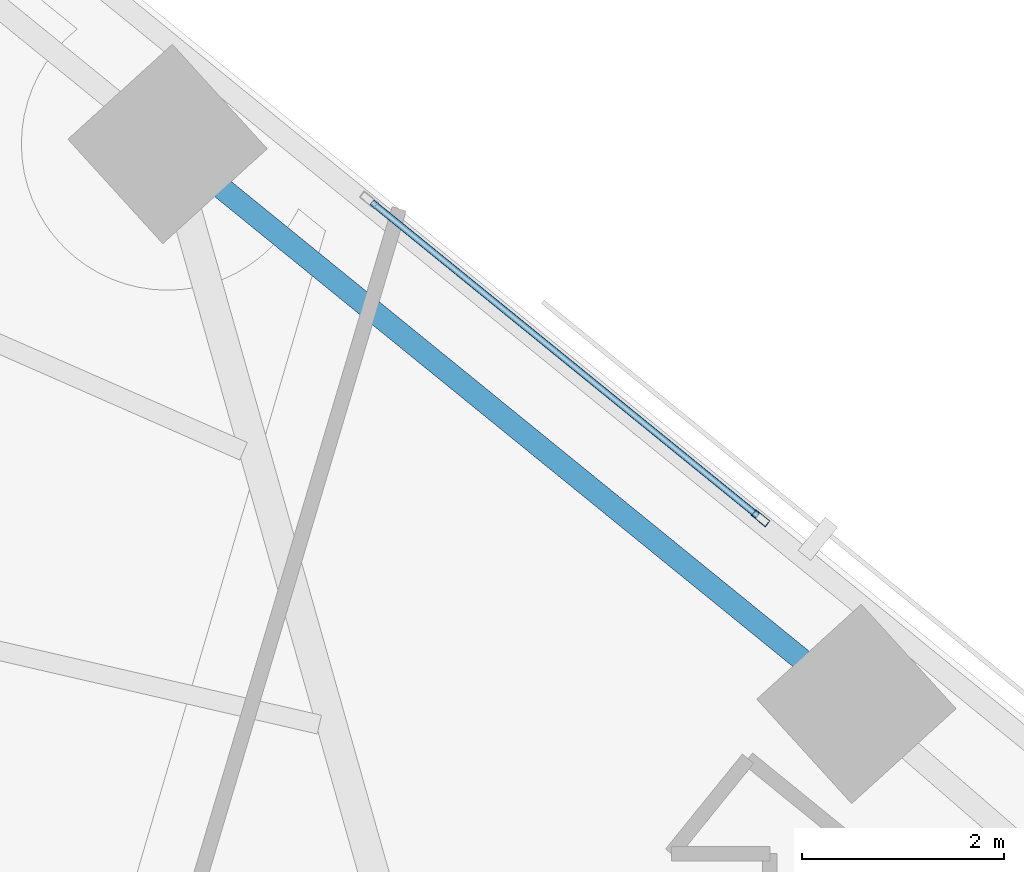
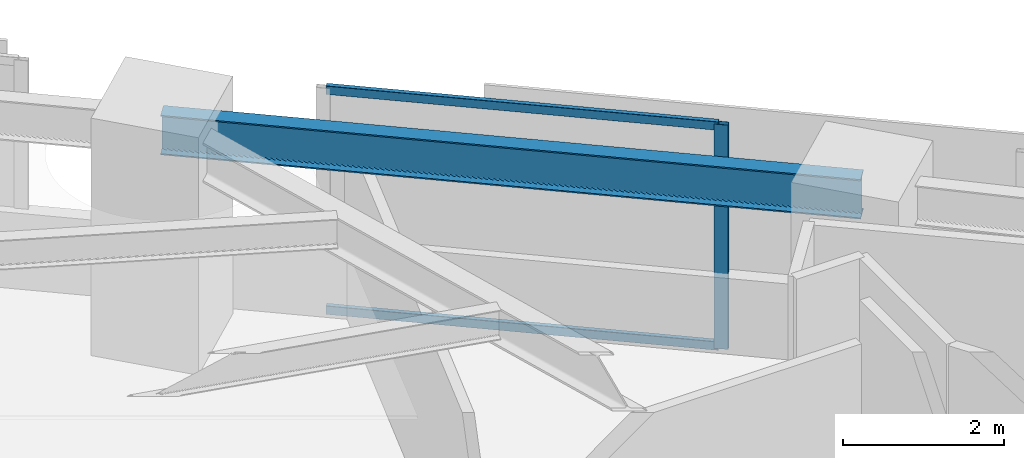
# One storey, part 11 of 17: 3 members, 1 beam, 1 element without a shape of its own.
"""IFC4 building model written with IfcOpenShell, lengths in metres."""

from ifc_helpers import new_model, si_unit, direction, frame, origin, origin_2d, place, context, subcontext, project, spatial, hollow_rectangle, i_section, extrude, material, material_profile, profile_set, type_object, element, aggregate, save


model = new_model("IFC4")

# Units and contexts
model_context = context("Model", 3, precision=1e-05, world=origin(), true_north=direction((0.0, 1.0)))
body_context = subcontext(model_context, "Body", "Model", "MODEL_VIEW")
ifc_project = project(units=[si_unit("LENGTHUNIT", "METRE"), si_unit("AREAUNIT", "SQUARE_METRE"), si_unit("VOLUMEUNIT", "CUBIC_METRE"), si_unit("PLANEANGLEUNIT", "RADIAN"), si_unit("MASSUNIT", "GRAM", prefix="KILO")], contexts=[model_context])

# Site, building, storey
site_placement = place(None, origin())
site = spatial("IfcSite", under=ifc_project, at=site_placement, CompositionType="ELEMENT")
building_placement = place(site_placement, origin())
building = spatial("IfcBuilding", under=site, at=building_placement, Name="Narakoshi Arena Tower", CompositionType="ELEMENT")
storey_placement = place(building_placement, frame((0.0, 0.0, 48.300048828125)))
storey = spatial("IfcBuildingStorey", under=building, at=storey_placement, Name="L12", CompositionType="ELEMENT", Elevation=48.300048828125)

# Beam
ifc_material_1 = material(Name="Structural steel S355J2", Category="steel")
ifc_material_profile_1 = material_profile(ifc_material_1, i_section(OverallWidth=0.219970703125, OverallDepth=0.60009765625, WebThickness=0.011962890625, FlangeThickness=0.01904296875, FilletRadius=0.02392578125, at=origin_2d()), Name="IPE600")
ifc_profile_set_1 = profile_set([ifc_material_profile_1], Name="Structural steel S355J2")
beam_type = type_object("IfcBeamType", Name="BM-EDGE-600", PredefinedType="BEAM", material=ifc_profile_set_1)
beam_placement = place(storey_placement, frame((89.459716796875, 61.28515625, 3.099853515625), z_axis=(-0.776011365227, 0.630718923958, 0.0), x_axis=(-0.630718923958, -0.776011365227, 0.0)))
element("IfcBeam", 1, at=beam_placement, inside=storey, type_object=beam_type, Name="L12 Perimeter Edge Girder 09", PredefinedType="BEAM", context=body_context, shape_type="SweptSolid", body=[
    extrude(i_section(OverallWidth=0.219970703125, OverallDepth=0.60009765625, WebThickness=0.011962890625, FlangeThickness=0.01904296875, FilletRadius=0.02392578125, at=origin_2d()), origin(), (0.0, 0.0, 1.0), 8.804931640625),
])

# Curtain wall, members
ifc_material_2 = material(Name="Anodised bronze aluminium 6063-T6", Category="aluminium")
curtain_wall_type = type_object("IfcCurtainWallType", Name="CW-HYP-LOW", PredefinedType="NOTDEFINED", material=ifc_material_2)
curtain_wall_placement = place(storey_placement, origin())
curtain_wall = element("IfcCurtainWall", 2, at=curtain_wall_placement, inside=storey, type_object=curtain_wall_type, Name="L12 Folded Hypotenuse Curtain Wall 2-2", PredefinedType="NOTDEFINED")
ifc_material_profile_2 = material_profile(ifc_material_2, hollow_rectangle(XDim=0.074951171875, YDim=0.179931640625, WallThickness=0.00390625, OuterFilletRadius=0.0048828125, at=origin_2d()), Name="MUL180x75x4")
ifc_profile_set_2 = profile_set([ifc_material_profile_2], Name="Anodised bronze aluminium 6063-T6")
member_type_1 = type_object("IfcMemberType", Name="MEM-MUL-180", PredefinedType="MULLION", material=ifc_profile_set_2)
member_1_placement = place(storey_placement, frame((88.509521484375, 63.126953125, 0.0), z_axis=(0.0, 0.0, 1.0), x_axis=(-0.630734833051, -0.775998434519, 0.0)))
member_1 = element("IfcMember", 3, at=member_1_placement, type_object=member_type_1, Name="CW-01 mullion 1", PredefinedType="MULLION", context=body_context, shape_type="SweptSolid", body=[
    extrude(hollow_rectangle(XDim=0.074951171875, YDim=0.179931640625, WallThickness=0.00390625, OuterFilletRadius=0.0048828125, at=origin_2d()), origin(), (0.0, 0.0, 1.0), 3.39990234375),
])
ifc_material_profile_3 = material_profile(ifc_material_2, hollow_rectangle(XDim=0.06494140625, YDim=0.1298828125, WallThickness=0.00390625, OuterFilletRadius=0.0048828125, at=origin_2d()), Name="TRN130x65x4")
ifc_profile_set_3 = profile_set([ifc_material_profile_3], Name="Anodised bronze aluminium 6063-T6")
member_type_2 = type_object("IfcMemberType", Name="MEM-TRN-130", PredefinedType="USERDEFINED", material=ifc_profile_set_3)
member_2_placement = place(storey_placement, frame((88.48046875, 63.150634765625, 0.032470703125), z_axis=(-0.776001951686, 0.630730505826, 0.0), x_axis=(-0.630730505826, -0.776001951686, 0.0)))
member_2 = element("IfcMember", 4, at=member_2_placement, type_object=member_type_2, Name="CW-01 transom 1.1", ObjectType="TRANSOM", PredefinedType="USERDEFINED", context=body_context, shape_type="SweptSolid", body=[
    extrude(hollow_rectangle(XDim=0.06494140625, YDim=0.1298828125, WallThickness=0.00390625, OuterFilletRadius=0.0048828125, at=origin_2d()), origin(), (0.0, 0.0, 1.0), 4.9326171875),
])
member_3_placement = place(storey_placement, frame((88.48046875, 63.150634765625, 3.367431640625), z_axis=(-0.776001951686, 0.630730505826, 0.0), x_axis=(-0.630730505826, -0.776001951686, 0.0)))
member_3 = element("IfcMember", 5, at=member_3_placement, type_object=member_type_2, Name="CW-01 transom 1.2", ObjectType="TRANSOM", PredefinedType="USERDEFINED", context=body_context, shape_type="SweptSolid", body=[
    extrude(hollow_rectangle(XDim=0.06494140625, YDim=0.1298828125, WallThickness=0.00390625, OuterFilletRadius=0.0048828125, at=origin_2d()), origin(), (0.0, 0.0, 1.0), 4.9326171875),
])
aggregate(curtain_wall, [member_1, member_2, member_3])

save(model, "model.ifc")
